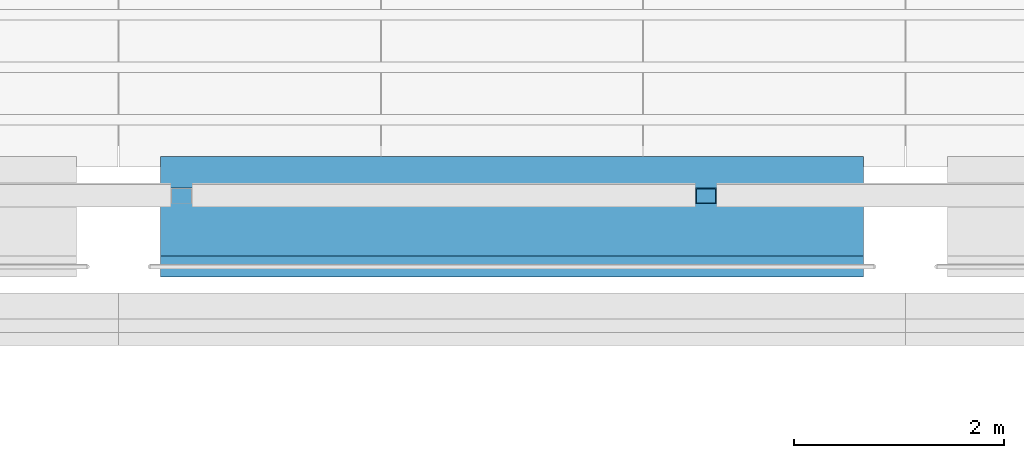
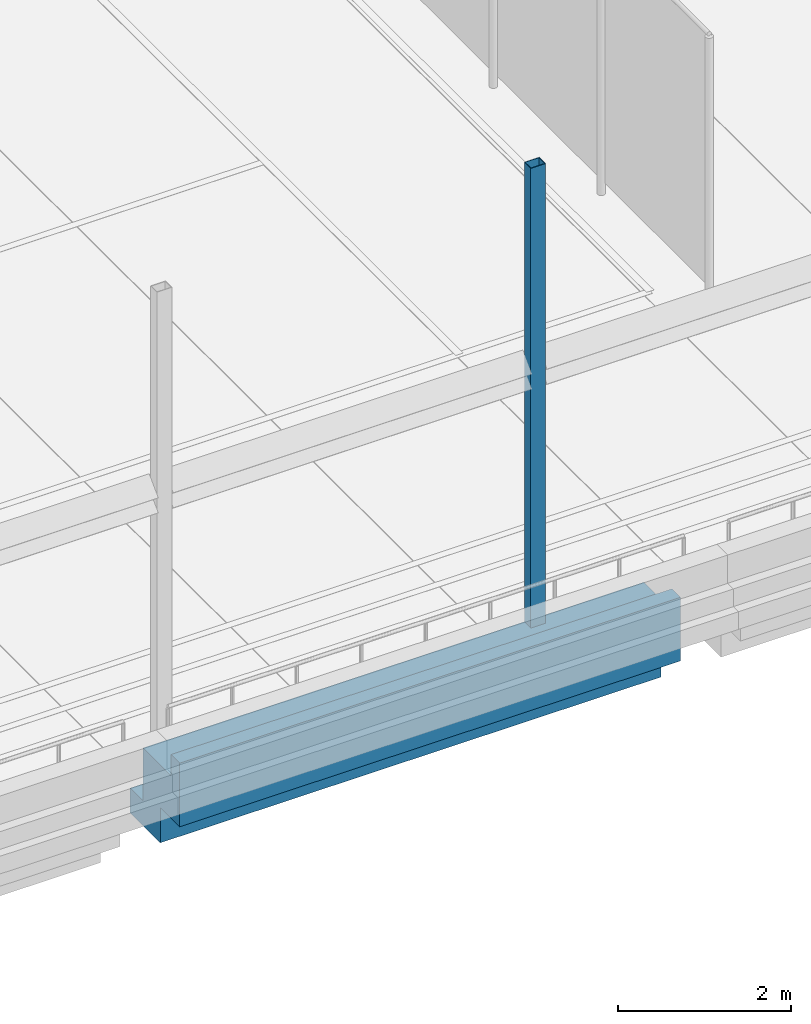
# One storey, part 8 of 62: 1 beam, 1 member.
"""IFC4 building model written with IfcOpenShell, lengths in metres."""

import ifcopenshell
import ifcopenshell.guid

model = None  # the IFC model being written
_history = None  # IfcOwnerHistory: only IFC2X3 demands one
_inside = {}  # id of a spatial element -> (the spatial element, [elements in it])
_under = {}  # id of a project, library or spatial element -> (it, [spatial elements below it])
_declared = {}  # id of a project -> (the project, [libraries it declares])
_typed = {}  # id of a type object -> (the type object, [elements of that type])
_made_of = {}  # id of a material, layer set ... -> (it, [elements and type objects made of it])


def new_model(schema):
    """Start an empty IFC model of exactly this schema.

    Asked for "IFC4X3", IfcOpenShell would pick the latest addendum, in which some entities
    have other attributes; the version numbers below select the first issue.
    IFC2X3 requires an IfcOwnerHistory on every rooted entity: one is made here for all.
    """
    global model, _history
    if schema == "IFC4X3":
        model = ifcopenshell.file(schema_version=(4, 3, 0, 0))
    else:
        model = ifcopenshell.file(schema=schema)
    _inside.clear()
    _under.clear()
    _declared.clear()
    _typed.clear()
    _made_of.clear()
    _history = None
    if model.schema == "IFC2X3":
        org = make("IfcOrganization", Name="unknown")
        user = make(
            "IfcPersonAndOrganization",
            ThePerson=make("IfcPerson", FamilyName="unknown"),
            TheOrganization=org,
        )
        app = make(
            "IfcApplication",
            ApplicationDeveloper=org,
            Version="unknown",
            ApplicationFullName="unknown",
            ApplicationIdentifier="unknown",
        )
        _history = make(
            "IfcOwnerHistory",
            OwningUser=user,
            OwningApplication=app,
            ChangeAction="ADDED",
            CreationDate=0,
        )
    return model


def make(cls, **values):
    """One entity of the class cls with the attributes given. An attribute that is None is left unset."""
    return model.create_entity(
        cls, **{name: value for name, value in values.items() if value is not None}
    )


def rooted(cls, **values):
    """An entity with a GlobalId (a new one), such as an element, a storey or a relation."""
    return make(cls, GlobalId=ifcopenshell.guid.new(), OwnerHistory=_history, **values)


def si_unit(unit_type, name, prefix=None):
    """IfcSIUnit, for example si_unit("LENGTHUNIT", "METRE", prefix="MILLI")."""
    return make("IfcSIUnit", UnitType=unit_type, Prefix=prefix, Name=name)


def assignment(units):
    """IfcUnitAssignment: the units of a project."""
    return None if units is None else make("IfcUnitAssignment", Units=units)


def point(xyz):
    """IfcCartesianPoint."""
    return None if xyz is None else make("IfcCartesianPoint", Coordinates=xyz)


def direction(xyz):
    """IfcDirection."""
    return None if xyz is None else make("IfcDirection", DirectionRatios=xyz)


def frame(location, z_axis=None, x_axis=None):
    """IfcAxis2Placement3D, a coordinate frame: its origin and axes. An axis left out is left unset."""
    return make(
        "IfcAxis2Placement3D",
        Location=point(location),
        Axis=direction(z_axis),
        RefDirection=direction(x_axis),
    )


def frame_2d(location, x_axis=None):
    """IfcAxis2Placement2D, a coordinate frame in the plane: its origin and x axis."""
    return make(
        "IfcAxis2Placement2D", Location=point(location), RefDirection=direction(x_axis)
    )


def origin():
    """The frame at (0, 0, 0) with its axes left unset."""
    return frame((0.0, 0.0, 0.0))


def origin_2d():
    """The frame at (0, 0) in the plane with its x axis left unset."""
    return frame_2d((0.0, 0.0))


def place(relative_to, where):
    """IfcLocalPlacement: puts the frame where relative to a parent placement (None: the world)."""
    return make(
        "IfcLocalPlacement", PlacementRelTo=relative_to, RelativePlacement=where
    )


def context(
    kind, dimensions, precision=None, world=None, true_north=None, identifier=None
):
    """IfcGeometricRepresentationContext, for example the 3D "Model" context."""
    return make(
        "IfcGeometricRepresentationContext",
        ContextIdentifier=identifier,
        ContextType=kind,
        CoordinateSpaceDimension=dimensions,
        Precision=precision,
        WorldCoordinateSystem=world,
        TrueNorth=true_north,
    )


def subcontext(parent, identifier, kind, view, scale=None):
    """IfcGeometricRepresentationSubContext, for example "Body" below "Model"."""
    return make(
        "IfcGeometricRepresentationSubContext",
        ContextIdentifier=identifier,
        ContextType=kind,
        ParentContext=parent,
        TargetScale=scale,
        TargetView=view,
    )


def project(units=None, contexts=None):
    """IfcProject with its units and contexts."""
    return rooted(
        "IfcProject",
        Name="project",
        RepresentationContexts=contexts,
        UnitsInContext=assignment(units),
    )


def spatial(cls, under=None, at=None, **own):
    """A site, building, storey or space (cls), placed at a placement, below another one or the project."""
    s = rooted(cls, ObjectPlacement=at, **own)
    if under is not None:
        _under.setdefault(under.id(), (under, []))[1].append(s)
    return s


def polyline(points):
    """IfcPolyline through the points."""
    return make("IfcPolyline", Points=[point(p) for p in points])


def profile(cls, at=None, kind="AREA", **sizes):
    """A parametric profile (cls). Its sizes go by their IFC names, for example OverallWidth=200.0."""
    return make(cls, ProfileType=kind, Position=at, **sizes)


def hollow_rectangle(**sizes):
    """IfcRectangleHollowProfileDef."""
    return profile("IfcRectangleHollowProfileDef", **sizes)


def outline(outer, holes=None, kind="AREA"):
    """IfcArbitraryClosedProfileDef: a profile drawn as a closed curve; with holes, ...WithVoids."""
    if holes is None:
        return make("IfcArbitraryClosedProfileDef", ProfileType=kind, OuterCurve=outer)
    return make(
        "IfcArbitraryProfileDefWithVoids",
        ProfileType=kind,
        OuterCurve=outer,
        InnerCurves=holes,
    )


def extrude(swept, where, along, depth):
    """IfcExtrudedAreaSolid: the profile swept, set in the frame where, extruded along a direction by depth."""
    return make(
        "IfcExtrudedAreaSolid",
        SweptArea=swept,
        Position=where,
        ExtrudedDirection=direction(along),
        Depth=depth,
    )


def shape(context_of_items, identifier, shape_type, items):
    """IfcShapeRepresentation: the items that make up one representation, for example the "Body"."""
    return make(
        "IfcShapeRepresentation",
        ContextOfItems=context_of_items,
        RepresentationIdentifier=identifier,
        RepresentationType=shape_type,
        Items=items,
    )


def material(Name=None, Category=None):
    """IfcMaterial."""
    return make("IfcMaterial", Name=Name, Category=Category)


def material_profile(
    of_material, cross_section, Name=None, Category=None, Priority=None
):
    """IfcMaterialProfile: a cross section and its material."""
    return make(
        "IfcMaterialProfile",
        Name=Name,
        Material=of_material,
        Profile=cross_section,
        Priority=Priority,
        Category=Category,
    )


def profile_set(profiles, Name=None, composite=None):
    """IfcMaterialProfileSet."""
    return make(
        "IfcMaterialProfileSet",
        Name=Name,
        MaterialProfiles=profiles,
        CompositeProfile=composite,
    )


def made_of(thing, what):
    """Note that an element or type object is made of a material, layer set ...; save() writes the relation."""
    if what is not None:
        _made_of.setdefault(what.id(), (what, []))[1].append(thing)
    return thing


def type_object(cls, material=None, **own):
    """A type object (cls), such as IfcWallType, which elements share."""
    return made_of(rooted(cls, **own), material)


def element(
    cls,
    number,
    at=None,
    inside=None,
    cuts=None,
    type_object=None,
    material=None,
    context=None,
    identifier="Body",
    shape_type=None,
    held_by="IfcProductDefinitionShape",
    body=None,
    shapes=None,
    **own,
):
    """One element of the class cls, such as IfcWall. Its Tag is "e" and its number.

    at: its placement. inside: the storey or other place that contains it. cuts: it is an
    opening in that element (IfcRelVoidsElement). A single representation is given by context,
    identifier, shape_type and body (its items); several are given by shapes. held_by: the class
    of the entity that holds the representations. save() writes the other relations.
    """
    e = rooted(cls, Tag="e%d" % number, ObjectPlacement=at, **own)
    if body is not None:
        shapes = [shape(context, identifier, shape_type, body)]
    if shapes is not None:
        e.Representation = make(held_by, Representations=shapes)
    if inside is not None:
        _inside.setdefault(inside.id(), (inside, []))[1].append(e)
    if cuts is not None:
        rooted(
            "IfcRelVoidsElement", RelatingBuildingElement=cuts, RelatedOpeningElement=e
        )
    if type_object is not None:
        _typed.setdefault(type_object.id(), (type_object, []))[1].append(e)
    return made_of(e, material)


def aggregate(whole, parts):
    """IfcRelAggregates: a whole, such as a stair, and the parts it consists of."""
    return rooted("IfcRelAggregates", RelatingObject=whole, RelatedObjects=parts)


def save(model, path):
    """Write the relations noted so far, then the file.

    IfcRelAggregates (storeys below a building ...), IfcRelContainedInSpatialStructure (elements
    in a storey), IfcRelDefinesByType, IfcRelAssociatesMaterial and IfcRelDeclares: one each for
    every whole, place, type object, material and project.
    """
    for whole, parts in _under.values():
        aggregate(whole, parts)
    for where, things in _inside.values():
        rooted(
            "IfcRelContainedInSpatialStructure",
            RelatedElements=things,
            RelatingStructure=where,
        )
    for kind, things in _typed.values():
        rooted("IfcRelDefinesByType", RelatedObjects=things, RelatingType=kind)
    for what, things in _made_of.values():
        rooted("IfcRelAssociatesMaterial", RelatedObjects=things, RelatingMaterial=what)
    for by, libraries in _declared.values():
        rooted("IfcRelDeclares", RelatingContext=by, RelatedDefinitions=libraries)
    model.write(path)


model = new_model("IFC4")

# Units and contexts
model_context = context("Model", 3, precision=1e-05, world=origin(), true_north=direction((0.0, 1.0)))
body_context = subcontext(model_context, "Body", "Model", "MODEL_VIEW")
ifc_project = project(units=[si_unit("LENGTHUNIT", "METRE"), si_unit("AREAUNIT", "SQUARE_METRE"), si_unit("VOLUMEUNIT", "CUBIC_METRE"), si_unit("PLANEANGLEUNIT", "RADIAN"), si_unit("MASSUNIT", "GRAM", prefix="KILO")], contexts=[model_context])

# Site, building, storey
site_placement = place(None, origin())
site = spatial("IfcSite", under=ifc_project, at=site_placement, CompositionType="ELEMENT")
building_placement = place(site_placement, origin())
building = spatial("IfcBuilding", under=site, at=building_placement, Name="Cour d'Honneur Mobility Palace", CompositionType="ELEMENT")
storey_placement = place(building_placement, frame((0.0, 0.0, 19.300048828125)))
storey = spatial("IfcBuildingStorey", under=building, at=storey_placement, Name="L05", CompositionType="ELEMENT", Elevation=19.300048828125)

# Beam
ifc_material_1 = material(Name="Concrete C45", Category="concrete")
ifc_material_profile_1 = material_profile(ifc_material_1, outline(polyline([(0.5, -1.10009765625), (0.5, -0.75), (0.199951171875, -0.75), (0.199951171875, 0.0), (-0.199951171875, 0.0), (-0.449951171875, 0.0), (-0.449951171875, 0.300048828125), (-0.64990234375, 0.300048828125), (-0.64990234375, -0.60009765625), (-0.199951171875, -0.60009765625), (-0.199951171875, -1.10009765625), (0.5, -1.10009765625)])), Name="Ledger Beam 400x1100 ledge left 350 facade right")
ifc_profile_set_1 = profile_set([ifc_material_profile_1], Name="Concrete C45")
beam_type = type_object("IfcBeamType", Name="Ledger Beam 400x1100 ledge left 350 facade right", PredefinedType="BEAM", material=ifc_profile_set_1)
beam_placement = place(storey_placement, frame((55.300048828125, 45.0, 0.0), z_axis=(1.0, 0.0, 0.0), x_axis=(0.0, 1.0, 0.0)))
element("IfcBeam", 1, at=beam_placement, inside=storey, type_object=beam_type, Name="Precast beam B2 7-8 L05", PredefinedType="BEAM", context=body_context, shape_type="SweptSolid", body=[
    extrude(outline(polyline([(0.5, -1.10009765625), (0.5, -0.75), (0.199951171875, -0.75), (0.199951171875, 0.0), (-0.199951171875, 0.0), (-0.449951171875, 0.0), (-0.449951171875, 0.300048828125), (-0.64990234375, 0.300048828125), (-0.64990234375, -0.60009765625), (-0.199951171875, -0.60009765625), (-0.199951171875, -1.10009765625), (0.5, -1.10009765625)])), origin(), (0.0, 0.0, 1.0), 6.699951171875),
])

# Member
ifc_material_2 = material(Name="Steel S355", Category="steel")
ifc_material_profile_2 = material_profile(ifc_material_2, hollow_rectangle(XDim=0.14990234375, YDim=0.199951171875, WallThickness=0.008056640625, at=origin_2d()), Name="RHS 200x150x8")
ifc_profile_set_2 = profile_set([ifc_material_profile_2], Name="Steel S355")
member_type = type_object("IfcMemberType", Name="Pergola post RHS 200x150x8", PredefinedType="POST", material=ifc_profile_set_2)
member_placement = place(storey_placement, frame((60.5, 45.125, 0.0), z_axis=(0.0, 0.0, 1.0), x_axis=(0.0, 1.0, 0.0)))
element("IfcMember", 2, at=member_placement, inside=storey, type_object=member_type, Name="Pergola post PW-S4", PredefinedType="POST", context=body_context, shape_type="SweptSolid", body=[
    extrude(hollow_rectangle(XDim=0.14990234375, YDim=0.199951171875, WallThickness=0.008056640625, at=origin_2d()), origin(), (0.0, 0.0, 1.0), 6.5),
])

save(model, "model.ifc")
